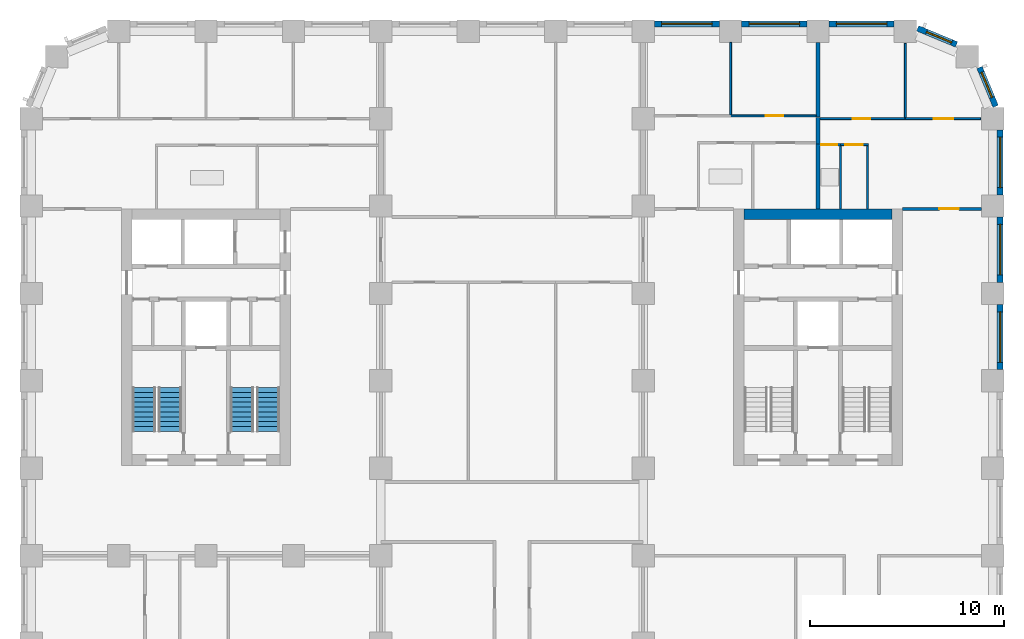
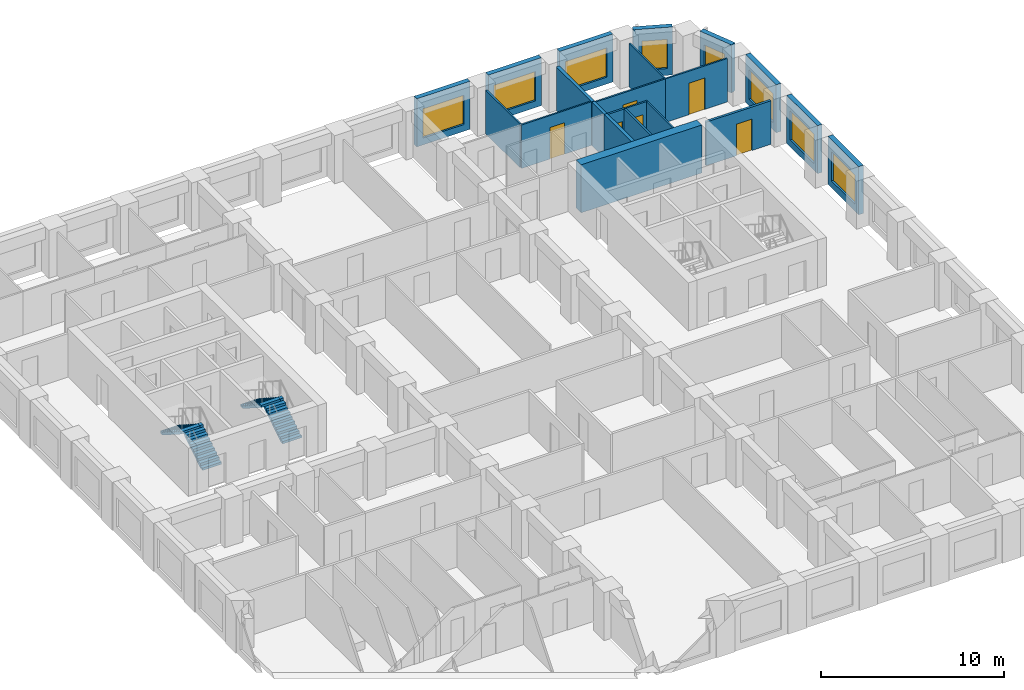
# One storey, part 9 of 13: 22 walls, 8 windows, 6 doors, 4 stair flights, 14 openings, 2 elements without a shape of their own.
"""IFC4 building model written with IfcOpenShell, lengths in metres."""

import ifcopenshell
import ifcopenshell.guid

model = None  # the IFC model being written
_history = None  # IfcOwnerHistory: only IFC2X3 demands one
_inside = {}  # id of a spatial element -> (the spatial element, [elements in it])
_under = {}  # id of a project, library or spatial element -> (it, [spatial elements below it])
_declared = {}  # id of a project -> (the project, [libraries it declares])
_typed = {}  # id of a type object -> (the type object, [elements of that type])
_made_of = {}  # id of a material, layer set ... -> (it, [elements and type objects made of it])


def new_model(schema):
    """Start an empty IFC model of exactly this schema.

    Asked for "IFC4X3", IfcOpenShell would pick the latest addendum, in which some entities
    have other attributes; the version numbers below select the first issue.
    IFC2X3 requires an IfcOwnerHistory on every rooted entity: one is made here for all.
    """
    global model, _history
    if schema == "IFC4X3":
        model = ifcopenshell.file(schema_version=(4, 3, 0, 0))
    else:
        model = ifcopenshell.file(schema=schema)
    _inside.clear()
    _under.clear()
    _declared.clear()
    _typed.clear()
    _made_of.clear()
    _history = None
    if model.schema == "IFC2X3":
        org = make("IfcOrganization", Name="unknown")
        user = make(
            "IfcPersonAndOrganization",
            ThePerson=make("IfcPerson", FamilyName="unknown"),
            TheOrganization=org,
        )
        app = make(
            "IfcApplication",
            ApplicationDeveloper=org,
            Version="unknown",
            ApplicationFullName="unknown",
            ApplicationIdentifier="unknown",
        )
        _history = make(
            "IfcOwnerHistory",
            OwningUser=user,
            OwningApplication=app,
            ChangeAction="ADDED",
            CreationDate=0,
        )
    return model


def make(cls, **values):
    """One entity of the class cls with the attributes given. An attribute that is None is left unset."""
    return model.create_entity(
        cls, **{name: value for name, value in values.items() if value is not None}
    )


def rooted(cls, **values):
    """An entity with a GlobalId (a new one), such as an element, a storey or a relation."""
    return make(cls, GlobalId=ifcopenshell.guid.new(), OwnerHistory=_history, **values)


def si_unit(unit_type, name, prefix=None):
    """IfcSIUnit, for example si_unit("LENGTHUNIT", "METRE", prefix="MILLI")."""
    return make("IfcSIUnit", UnitType=unit_type, Prefix=prefix, Name=name)


def assignment(units):
    """IfcUnitAssignment: the units of a project."""
    return None if units is None else make("IfcUnitAssignment", Units=units)


def point(xyz):
    """IfcCartesianPoint."""
    return None if xyz is None else make("IfcCartesianPoint", Coordinates=xyz)


def direction(xyz):
    """IfcDirection."""
    return None if xyz is None else make("IfcDirection", DirectionRatios=xyz)


def frame(location, z_axis=None, x_axis=None):
    """IfcAxis2Placement3D, a coordinate frame: its origin and axes. An axis left out is left unset."""
    return make(
        "IfcAxis2Placement3D",
        Location=point(location),
        Axis=direction(z_axis),
        RefDirection=direction(x_axis),
    )


def frame_2d(location, x_axis=None):
    """IfcAxis2Placement2D, a coordinate frame in the plane: its origin and x axis."""
    return make(
        "IfcAxis2Placement2D", Location=point(location), RefDirection=direction(x_axis)
    )


def origin():
    """The frame at (0, 0, 0) with its axes left unset."""
    return frame((0.0, 0.0, 0.0))


def place(relative_to, where):
    """IfcLocalPlacement: puts the frame where relative to a parent placement (None: the world)."""
    return make(
        "IfcLocalPlacement", PlacementRelTo=relative_to, RelativePlacement=where
    )


def context(
    kind, dimensions, precision=None, world=None, true_north=None, identifier=None
):
    """IfcGeometricRepresentationContext, for example the 3D "Model" context."""
    return make(
        "IfcGeometricRepresentationContext",
        ContextIdentifier=identifier,
        ContextType=kind,
        CoordinateSpaceDimension=dimensions,
        Precision=precision,
        WorldCoordinateSystem=world,
        TrueNorth=true_north,
    )


def subcontext(parent, identifier, kind, view, scale=None):
    """IfcGeometricRepresentationSubContext, for example "Body" below "Model"."""
    return make(
        "IfcGeometricRepresentationSubContext",
        ContextIdentifier=identifier,
        ContextType=kind,
        ParentContext=parent,
        TargetScale=scale,
        TargetView=view,
    )


def project(units=None, contexts=None):
    """IfcProject with its units and contexts."""
    return rooted(
        "IfcProject",
        Name="project",
        RepresentationContexts=contexts,
        UnitsInContext=assignment(units),
    )


def spatial(cls, under=None, at=None, **own):
    """A site, building, storey or space (cls), placed at a placement, below another one or the project."""
    s = rooted(cls, ObjectPlacement=at, **own)
    if under is not None:
        _under.setdefault(under.id(), (under, []))[1].append(s)
    return s


def polyline(points):
    """IfcPolyline through the points."""
    return make("IfcPolyline", Points=[point(p) for p in points])


def profile(cls, at=None, kind="AREA", **sizes):
    """A parametric profile (cls). Its sizes go by their IFC names, for example OverallWidth=200.0."""
    return make(cls, ProfileType=kind, Position=at, **sizes)


def rectangle(**sizes):
    """IfcRectangleProfileDef."""
    return profile("IfcRectangleProfileDef", **sizes)


def outline(outer, holes=None, kind="AREA"):
    """IfcArbitraryClosedProfileDef: a profile drawn as a closed curve; with holes, ...WithVoids."""
    if holes is None:
        return make("IfcArbitraryClosedProfileDef", ProfileType=kind, OuterCurve=outer)
    return make(
        "IfcArbitraryProfileDefWithVoids",
        ProfileType=kind,
        OuterCurve=outer,
        InnerCurves=holes,
    )


def extrude(swept, where, along, depth):
    """IfcExtrudedAreaSolid: the profile swept, set in the frame where, extruded along a direction by depth."""
    return make(
        "IfcExtrudedAreaSolid",
        SweptArea=swept,
        Position=where,
        ExtrudedDirection=direction(along),
        Depth=depth,
    )


def shape(context_of_items, identifier, shape_type, items):
    """IfcShapeRepresentation: the items that make up one representation, for example the "Body"."""
    return make(
        "IfcShapeRepresentation",
        ContextOfItems=context_of_items,
        RepresentationIdentifier=identifier,
        RepresentationType=shape_type,
        Items=items,
    )


def material(Name=None, Category=None):
    """IfcMaterial."""
    return make("IfcMaterial", Name=Name, Category=Category)


def layer(
    of_material, thickness, ventilated=None, Name=None, Category=None, Priority=None
):
    """IfcMaterialLayer: one layer of a wall or slab, of a material (None: an air gap)."""
    return make(
        "IfcMaterialLayer",
        Material=of_material,
        LayerThickness=thickness,
        IsVentilated=ventilated,
        Name=Name,
        Category=Category,
        Priority=Priority,
    )


def layer_set(layers, Name=None):
    """IfcMaterialLayerSet."""
    return make("IfcMaterialLayerSet", MaterialLayers=layers, LayerSetName=Name)


def made_of(thing, what):
    """Note that an element or type object is made of a material, layer set ...; save() writes the relation."""
    if what is not None:
        _made_of.setdefault(what.id(), (what, []))[1].append(thing)
    return thing


def type_object(cls, material=None, **own):
    """A type object (cls), such as IfcWallType, which elements share."""
    return made_of(rooted(cls, **own), material)


def element(
    cls,
    number,
    at=None,
    inside=None,
    cuts=None,
    type_object=None,
    material=None,
    context=None,
    identifier="Body",
    shape_type=None,
    held_by="IfcProductDefinitionShape",
    body=None,
    shapes=None,
    **own,
):
    """One element of the class cls, such as IfcWall. Its Tag is "e" and its number.

    at: its placement. inside: the storey or other place that contains it. cuts: it is an
    opening in that element (IfcRelVoidsElement). A single representation is given by context,
    identifier, shape_type and body (its items); several are given by shapes. held_by: the class
    of the entity that holds the representations. save() writes the other relations.
    """
    e = rooted(cls, Tag="e%d" % number, ObjectPlacement=at, **own)
    if body is not None:
        shapes = [shape(context, identifier, shape_type, body)]
    if shapes is not None:
        e.Representation = make(held_by, Representations=shapes)
    if inside is not None:
        _inside.setdefault(inside.id(), (inside, []))[1].append(e)
    if cuts is not None:
        rooted(
            "IfcRelVoidsElement", RelatingBuildingElement=cuts, RelatedOpeningElement=e
        )
    if type_object is not None:
        _typed.setdefault(type_object.id(), (type_object, []))[1].append(e)
    return made_of(e, material)


def fill(opening, filler):
    """IfcRelFillsElement: the door or window that sits in an opening."""
    return rooted(
        "IfcRelFillsElement",
        RelatingOpeningElement=opening,
        RelatedBuildingElement=filler,
    )


def aggregate(whole, parts):
    """IfcRelAggregates: a whole, such as a stair, and the parts it consists of."""
    return rooted("IfcRelAggregates", RelatingObject=whole, RelatedObjects=parts)


def save(model, path):
    """Write the relations noted so far, then the file.

    IfcRelAggregates (storeys below a building ...), IfcRelContainedInSpatialStructure (elements
    in a storey), IfcRelDefinesByType, IfcRelAssociatesMaterial and IfcRelDeclares: one each for
    every whole, place, type object, material and project.
    """
    for whole, parts in _under.values():
        aggregate(whole, parts)
    for where, things in _inside.values():
        rooted(
            "IfcRelContainedInSpatialStructure",
            RelatedElements=things,
            RelatingStructure=where,
        )
    for kind, things in _typed.values():
        rooted("IfcRelDefinesByType", RelatedObjects=things, RelatingType=kind)
    for what, things in _made_of.values():
        rooted("IfcRelAssociatesMaterial", RelatedObjects=things, RelatingMaterial=what)
    for by, libraries in _declared.values():
        rooted("IfcRelDeclares", RelatingContext=by, RelatedDefinitions=libraries)
    model.write(path)


model = new_model("IFC4")

# Units and contexts
model_context = context("Model", 3, precision=1e-05, world=origin(), true_north=direction((0.0, 1.0)))
body_context = subcontext(model_context, "Body", "Model", "MODEL_VIEW")
ifc_project = project(units=[si_unit("LENGTHUNIT", "METRE"), si_unit("AREAUNIT", "SQUARE_METRE"), si_unit("VOLUMEUNIT", "CUBIC_METRE"), si_unit("PLANEANGLEUNIT", "RADIAN"), si_unit("MASSUNIT", "GRAM", prefix="KILO")], contexts=[model_context])

# Site, building, storey
site_placement = place(None, origin())
site = spatial("IfcSite", under=ifc_project, at=site_placement, CompositionType="ELEMENT")
building_placement = place(site_placement, origin())
building = spatial("IfcBuilding", under=site, at=building_placement, Name="Girih Gate Residences", CompositionType="ELEMENT")
storey_placement = place(building_placement, frame((0.0, 0.0, 99.199951171875)))
storey = spatial("IfcBuildingStorey", under=building, at=storey_placement, Name="L27", CompositionType="ELEMENT", Elevation=99.199951171875)

# Wall, opening, door
ifc_material_1 = material(Name="Gypsum board on steel studs", Category="steel")
ifc_layer_1 = layer(ifc_material_1, 0.14990234375)
ifc_layer_set_1 = layer_set([ifc_layer_1], Name="Compartment wall 150 mm")
wall_type_1 = type_object("IfcWallType", Name="Compartment wall 150 mm", PredefinedType="PARTITIONING", material=ifc_layer_set_1)
wall_1_placement = place(storey_placement, frame((44.85009765625, 40.35009765625, 0.0), z_axis=(0.0, 0.0, 1.0), x_axis=(1.0, 0.0, 0.0)))
wall_1 = element("IfcWall", 1, at=wall_1_placement, inside=storey, type_object=wall_type_1, Name="L27 partition", PredefinedType="PARTITIONING", context=body_context, shape_type="SweptSolid", body=[
    extrude(rectangle(XDim=4.074951171875, YDim=0.14990234375, at=frame_2d((2.03759765625, 0.0))), origin(), (0.0, 0.0, 1.0), 2.900146484375),
])
opening_1_placement = place(wall_1_placement, frame((1.89990234375, 0.0, 0.0)))
opening_1 = element("IfcOpeningElement", 2, at=opening_1_placement, cuts=wall_1, Name="Opening A27-033", PredefinedType="OPENING", context=body_context, shape_type="SweptSolid", body=[
    extrude(rectangle(XDim=1.0, YDim=2.10009765625, at=frame_2d((0.5, 1.050048828125))), frame((0.0, 0.0849609375, 0.0), z_axis=(0.0, -1.0, 0.0), x_axis=(1.0, 0.0, 0.0)), (0.0, 0.0, 1.0), 0.169921875),
])
ifc_material_2 = material(Name="Timber, fire-rated core", Category="wood")
door_type_1 = type_object("IfcDoorType", Name="Flat entrance door 1000x2100 FD30S", OperationType="NOTDEFINED", PredefinedType="DOOR", material=ifc_material_2)
door_1_placement = place(opening_1_placement, origin())
door_1 = element("IfcDoor", 3, at=door_1_placement, inside=storey, type_object=door_type_1, Name="Door A27-033", OperationType="SINGLE_SWING_RIGHT", OverallHeight=2.10009765625, OverallWidth=1.0, PredefinedType="DOOR", context=body_context, shape_type="SweptSolid", body=[
    extrude(rectangle(XDim=1.0, YDim=2.10009765625, at=frame_2d((0.5, 1.050048828125))), frame((0.0, 0.02490234375, 0.0), z_axis=(0.0, -1.0, 0.0), x_axis=(1.0, 0.0, 0.0)), (0.0, 0.0, 1.0), 0.050048828125),
])
fill(opening_1, door_1)

# Wall
ifc_material_3 = material(Name="Concrete C60/75", Category="concrete")
ifc_layer_2 = layer(ifc_material_3, 0.550048828125)
ifc_layer_set_2 = layer_set([ifc_layer_2], Name="Core wall RC 550 Concrete C60/75")
wall_type_2 = type_object("IfcWallType", Name="Core wall RC 550 Concrete C60/75", PredefinedType="SOLIDWALL", material=ifc_layer_set_2)
wall_2_placement = place(storey_placement, frame((36.699951171875, 40.074951171875, 0.0), z_axis=(0.0, 0.0, 1.0), x_axis=(1.0, 0.0, 0.0)))
element("IfcWall", 4, at=wall_2_placement, inside=storey, type_object=wall_type_2, Name="Core wall E-N L27", PredefinedType="SOLIDWALL", context=body_context, shape_type="SweptSolid", body=[
    extrude(rectangle(XDim=7.60009765625, YDim=0.550048828125, at=frame_2d((3.800048828125, 0.0))), origin(), (0.0, 0.0, 1.0), 3.199951171875),
])

# Wall, opening, door
ifc_layer_3 = layer(ifc_material_1, 0.10009765625)
ifc_layer_set_3 = layer_set([ifc_layer_3], Name="Partition 100 mm")
wall_type_3 = type_object("IfcWallType", Name="Partition 100 mm", PredefinedType="PARTITIONING", material=ifc_layer_set_3)
wall_3_placement = place(storey_placement, frame((40.60009765625, 45.0, 0.0), z_axis=(0.0, 0.0, 1.0), x_axis=(1.0, 0.0, 0.0)))
wall_3 = element("IfcWall", 5, at=wall_3_placement, inside=storey, type_object=wall_type_3, Name="L27 partition", PredefinedType="PARTITIONING", context=body_context, shape_type="SweptSolid", body=[
    extrude(rectangle(XDim=4.39990234375, YDim=0.10009765625, at=frame_2d((2.199951171875, 0.0))), origin(), (0.0, 0.0, 1.0), 2.900146484375),
])
opening_2_placement = place(wall_3_placement, frame((1.699951171875, 0.0, 0.0)))
opening_2 = element("IfcOpeningElement", 6, at=opening_2_placement, cuts=wall_3, Name="Opening A27-030", PredefinedType="OPENING", context=body_context, shape_type="SweptSolid", body=[
    extrude(rectangle(XDim=0.89990234375, YDim=2.10009765625, at=frame_2d((0.449951171875, 1.050048828125))), frame((0.0, 0.06005859375, 0.0), z_axis=(0.0, -1.0, 0.0), x_axis=(1.0, 0.0, 0.0)), (0.0, 0.0, 1.0), 0.1201171875),
])
ifc_material_4 = material(Name="Timber", Category="wood")
door_type_2 = type_object("IfcDoorType", Name="Bedroom door 900x2100", OperationType="NOTDEFINED", PredefinedType="DOOR", material=ifc_material_4)
door_2_placement = place(opening_2_placement, origin())
door_2 = element("IfcDoor", 7, at=door_2_placement, inside=storey, type_object=door_type_2, Name="Door A27-030", OperationType="SINGLE_SWING_LEFT", OverallHeight=2.10009765625, OverallWidth=0.89990234375, PredefinedType="DOOR", context=body_context, shape_type="SweptSolid", body=[
    extrude(rectangle(XDim=0.89990234375, YDim=2.10009765625, at=frame_2d((0.449951171875, 1.050048828125))), frame((0.0, 0.02490234375, 0.0), z_axis=(0.0, -1.0, 0.0), x_axis=(1.0, 0.0, 0.0)), (0.0, 0.0, 1.0), 0.050048828125),
])
fill(opening_2, door_2)

# Walls
wall_4_placement = place(storey_placement, frame((45.0, 45.050048828125, 0.0), z_axis=(0.0, 0.0, 1.0), x_axis=(0.0, 1.0, 0.0)))
element("IfcWall", 8, at=wall_4_placement, inside=storey, type_object=wall_type_3, Name="L27 partition", PredefinedType="PARTITIONING", context=body_context, shape_type="SweptSolid", body=[
    extrude(rectangle(XDim=3.82763671875, YDim=0.10009765625, at=frame_2d((1.913818359375, 0.0))), origin(), (0.0, 0.0, 1.0), 2.900146484375),
])
wall_5_placement = place(storey_placement, frame((43.050048828125, 40.35009765625, 0.0), z_axis=(0.0, 0.0, 1.0), x_axis=(0.0, 1.0, 0.0)))
element("IfcWall", 9, at=wall_5_placement, inside=storey, type_object=wall_type_3, Name="L27 partition", PredefinedType="PARTITIONING", context=body_context, shape_type="SweptSolid", body=[
    extrude(rectangle(XDim=3.260009765625, YDim=0.10009765625, at=frame_2d((1.6298828125, 0.0))), origin(), (0.0, 0.0, 1.0), 2.900146484375),
])

# Wall, opening, door
wall_6_placement = place(storey_placement, frame((43.10009765625, 43.659912109375, 0.0), z_axis=(0.0, 0.0, 1.0), x_axis=(-1.0, 0.0, 0.0)))
wall_6 = element("IfcWall", 10, at=wall_6_placement, inside=storey, type_object=wall_type_3, Name="L27 partition", PredefinedType="PARTITIONING", context=body_context, shape_type="SweptSolid", body=[
    extrude(rectangle(XDim=1.44091796875, YDim=0.10009765625, at=frame_2d((0.720458984375, 0.0))), origin(), (0.0, 0.0, 1.0), 2.900146484375),
])
opening_3_placement = place(wall_6_placement, frame((0.29541015625, 0.0, 0.0)))
opening_3 = element("IfcOpeningElement", 11, at=opening_3_placement, cuts=wall_6, Name="Opening A27-031", PredefinedType="OPENING", context=body_context, shape_type="SweptSolid", body=[
    extrude(rectangle(XDim=0.89990234375, YDim=2.10009765625, at=frame_2d((0.449951171875, 1.050048828125))), frame((0.0, 0.06005859375, 0.0), z_axis=(0.0, -1.0, 0.0), x_axis=(1.0, 0.0, 0.0)), (0.0, 0.0, 1.0), 0.1201171875),
])
door_type_3 = type_object("IfcDoorType", Name="Kitchen door 900x2100", OperationType="NOTDEFINED", PredefinedType="DOOR", material=ifc_material_4)
door_3_placement = place(opening_3_placement, origin())
door_3 = element("IfcDoor", 12, at=door_3_placement, inside=storey, type_object=door_type_3, Name="Door A27-031", OperationType="SINGLE_SWING_RIGHT", OverallHeight=2.10009765625, OverallWidth=0.89990234375, PredefinedType="DOOR", context=body_context, shape_type="SweptSolid", body=[
    extrude(rectangle(XDim=0.89990234375, YDim=2.10009765625, at=frame_2d((0.449951171875, 1.050048828125))), frame((0.0, 0.02490234375, 0.0), z_axis=(0.0, -1.0, 0.0), x_axis=(1.0, 0.0, 0.0)), (0.0, 0.0, 1.0), 0.050048828125),
])
fill(opening_3, door_3)

wall_7_placement = place(storey_placement, frame((45.0, 45.0, 0.0), z_axis=(0.0, 0.0, 1.0), x_axis=(1.0, 0.0, 0.0)))
wall_7 = element("IfcWall", 13, at=wall_7_placement, inside=storey, type_object=wall_type_3, Name="L27 partition", PredefinedType="PARTITIONING", context=body_context, shape_type="SweptSolid", body=[
    extrude(rectangle(XDim=3.877685546875, YDim=0.10009765625, at=frame_2d((1.93896484375, 0.0))), origin(), (0.0, 0.0, 1.0), 2.900146484375),
])
opening_4_placement = place(wall_7_placement, frame((1.46240234375, 0.0, 0.0)))
opening_4 = element("IfcOpeningElement", 14, at=opening_4_placement, cuts=wall_7, Name="Opening A27-032", PredefinedType="OPENING", context=body_context, shape_type="SweptSolid", body=[
    extrude(rectangle(XDim=1.0, YDim=2.10009765625, at=frame_2d((0.5, 1.050048828125))), frame((0.0, 0.06005859375, 0.0), z_axis=(0.0, -1.0, 0.0), x_axis=(1.0, 0.0, 0.0)), (0.0, 0.0, 1.0), 0.1201171875),
])
door_type_4 = type_object("IfcDoorType", Name="Living room door 1000x2100", OperationType="NOTDEFINED", PredefinedType="DOOR", material=ifc_material_4)
door_4_placement = place(opening_4_placement, origin())
door_4 = element("IfcDoor", 15, at=door_4_placement, inside=storey, type_object=door_type_4, Name="Door A27-032", OperationType="SINGLE_SWING_RIGHT", OverallHeight=2.10009765625, OverallWidth=1.0, PredefinedType="DOOR", context=body_context, shape_type="SweptSolid", body=[
    extrude(rectangle(XDim=1.0, YDim=2.10009765625, at=frame_2d((0.5, 1.050048828125))), frame((0.0, 0.02490234375, 0.0), z_axis=(0.0, -1.0, 0.0), x_axis=(1.0, 0.0, 0.0)), (0.0, 0.0, 1.0), 0.050048828125),
])
fill(opening_4, door_4)

wall_8_placement = place(storey_placement, frame((36.0, 45.135009765625, 0.0), z_axis=(0.0, 0.0, 1.0), x_axis=(1.0, 0.0, 0.0)))
wall_8 = element("IfcWall", 16, at=wall_8_placement, inside=storey, type_object=wall_type_3, Name="L27 partition", PredefinedType="PARTITIONING", context=body_context, shape_type="SweptSolid", body=[
    extrude(rectangle(XDim=4.39990234375, YDim=0.10009765625, at=frame_2d((2.199951171875, 0.0))), origin(), (0.0, 0.0, 1.0), 2.900146484375),
])
opening_5_placement = place(wall_8_placement, frame((1.800048828125, 0.0, 0.0)))
opening_5 = element("IfcOpeningElement", 17, at=opening_5_placement, cuts=wall_8, Name="Opening A27-035", PredefinedType="OPENING", context=body_context, shape_type="SweptSolid", body=[
    extrude(rectangle(XDim=0.89990234375, YDim=2.10009765625, at=frame_2d((0.449951171875, 1.050048828125))), frame((0.0, 0.06005859375, 0.0), z_axis=(0.0, -1.0, 0.0), x_axis=(1.0, 0.0, 0.0)), (0.0, 0.0, 1.0), 0.1201171875),
])
door_5_placement = place(opening_5_placement, origin())
door_5 = element("IfcDoor", 18, at=door_5_placement, inside=storey, type_object=door_type_2, Name="Door A27-035", OperationType="SINGLE_SWING_RIGHT", OverallHeight=2.10009765625, OverallWidth=0.89990234375, PredefinedType="DOOR", context=body_context, shape_type="SweptSolid", body=[
    extrude(rectangle(XDim=0.89990234375, YDim=2.10009765625, at=frame_2d((0.449951171875, 1.050048828125))), frame((0.0, 0.02490234375, 0.0), z_axis=(0.0, -1.0, 0.0), x_axis=(1.0, 0.0, 0.0)), (0.0, 0.0, 1.0), 0.050048828125),
])
fill(opening_5, door_5)

# Walls
wall_9_placement = place(storey_placement, frame((36.0, 45.18505859375, 0.0), z_axis=(0.0, 0.0, 1.0), x_axis=(0.0, 1.0, 0.0)))
element("IfcWall", 19, at=wall_9_placement, inside=storey, type_object=wall_type_3, Name="L27 partition", PredefinedType="PARTITIONING", context=body_context, shape_type="SweptSolid", body=[
    extrude(rectangle(XDim=3.739990234375, YDim=0.10009765625, at=frame_2d((1.8701171875, 0.0))), origin(), (0.0, 0.0, 1.0), 2.900146484375),
])
ifc_layer_4 = layer(ifc_material_1, 0.199951171875)
ifc_layer_set_4 = layer_set([ifc_layer_4], Name="Party wall 200 mm")
wall_type_4 = type_object("IfcWallType", Name="Party wall 200 mm", PredefinedType="PARTITIONING", material=ifc_layer_set_4)
wall_10_placement = place(storey_placement, frame((40.5, 40.35009765625, 0.0), z_axis=(0.0, 0.0, 1.0), x_axis=(0.0, 1.0, 0.0)))
element("IfcWall", 20, at=wall_10_placement, inside=storey, type_object=wall_type_4, Name="L27 partition", PredefinedType="PARTITIONING", context=body_context, shape_type="SweptSolid", body=[
    extrude(rectangle(XDim=3.372314453125, YDim=0.199951171875, at=frame_2d((1.68603515625, 0.0))), origin(), (0.0, 0.0, 1.0), 2.900146484375),
])
wall_11_placement = place(storey_placement, frame((40.5, 45.0849609375, 0.0), z_axis=(0.0, 0.0, 1.0), x_axis=(0.0, 1.0, 0.0)))
element("IfcWall", 21, at=wall_11_placement, inside=storey, type_object=wall_type_4, Name="L27 partition", PredefinedType="PARTITIONING", context=body_context, shape_type="SweptSolid", body=[
    extrude(rectangle(XDim=3.840087890625, YDim=0.199951171875, at=frame_2d((1.919921875, 0.0))), origin(), (0.0, 0.0, 1.0), 2.900146484375),
])
wall_12_placement = place(storey_placement, frame((40.5, 43.705078125, 0.0), z_axis=(0.0, 0.0, 1.0), x_axis=(0.0, 1.0, 0.0)))
element("IfcWall", 22, at=wall_12_placement, inside=storey, type_object=wall_type_4, Name="L27 partition", PredefinedType="PARTITIONING", context=body_context, shape_type="SweptSolid", body=[
    extrude(rectangle(XDim=1.344970703125, YDim=0.199951171875, at=frame_2d((0.67236328125, 0.0))), origin(), (0.0, 0.0, 1.0), 2.900146484375),
])

# Wall, opening, window
ifc_material_5 = material(Name="Precast concrete C50/60", Category="concrete")
ifc_layer_5 = layer(ifc_material_5, 0.080078125, Name="Outer leaf")
ifc_material_6 = material(Name="Rigid PIR insulation")
ifc_layer_6 = layer(ifc_material_6, 0.14990234375, Name="Insulation")
ifc_material_7 = material(Name="Precast concrete C40/50", Category="concrete")
ifc_layer_7 = layer(ifc_material_7, 0.070068359375, Name="Inner leaf")
ifc_layer_set_5 = layer_set([ifc_layer_5, ifc_layer_6, ifc_layer_7], Name="Precast concrete C50/60 external wall 300")
wall_type_5 = type_object("IfcWallType", Name="Precast concrete C50/60 external wall 300", PredefinedType="SOLIDWALL", material=ifc_layer_set_5)
wall_13_placement = place(storey_placement, frame((49.875, 35.425048828125, 0.0), z_axis=(0.0, 0.0, 1.0), x_axis=(0.0, -1.0, 0.0)))
wall_13 = element("IfcWall", 23, at=wall_13_placement, inside=storey, type_object=wall_type_5, Name="External wall E0495_0045.6", PredefinedType="SOLIDWALL", context=body_context, shape_type="SweptSolid", body=[
    extrude(rectangle(XDim=3.35009765625, YDim=0.300048828125, at=frame_2d((1.675048828125, 0.0))), origin(), (0.0, 0.0, 1.0), 3.199951171875),
])
opening_6_placement = place(wall_13_placement, frame((0.375, 0.0, 0.449951171875)))
opening_6 = element("IfcOpeningElement", 24, at=opening_6_placement, cuts=wall_13, Name="Opening W-1A", PredefinedType="OPENING", context=body_context, shape_type="SweptSolid", body=[
    extrude(rectangle(XDim=2.60009765625, YDim=1.949951171875, at=frame_2d((1.300048828125, 0.97509765625))), frame((0.0, 0.159912109375, 0.0), z_axis=(0.0, -1.0, 0.0), x_axis=(1.0, 0.0, 0.0)), (0.0, 0.0, 1.0), 0.320068359375),
])
ifc_material_8 = material(Name="Double glazing in aluminium frame", Category="aluminium")
window_type_1 = type_object("IfcWindowType", Name="Window W-1A 2600x1950", PartitioningType="SINGLE_PANEL", PredefinedType="WINDOW", material=ifc_material_8)
window_1_placement = place(opening_6_placement, origin())
window_1 = element("IfcWindow", 25, at=window_1_placement, inside=storey, type_object=window_type_1, Name="Window W-1A E0495_0045.6", OverallHeight=1.949951171875, OverallWidth=2.60009765625, PartitioningType="SINGLE_PANEL", PredefinedType="WINDOW", context=body_context, shape_type="SweptSolid", body=[
    extrude(rectangle(XDim=2.60009765625, YDim=1.949951171875, at=frame_2d((1.300048828125, 0.97509765625))), frame((0.0, 0.030029296875, 0.0), z_axis=(0.0, -1.0, 0.0), x_axis=(1.0, 0.0, 0.0)), (0.0, 0.0, 1.0), 0.06005859375),
])
fill(opening_6, window_1)

wall_14_placement = place(storey_placement, frame((49.875, 39.925048828125, 0.0), z_axis=(0.0, 0.0, 1.0), x_axis=(0.0, -1.0, 0.0)))
wall_14 = element("IfcWall", 26, at=wall_14_placement, inside=storey, type_object=wall_type_5, Name="External wall E0495_0045.7", PredefinedType="SOLIDWALL", context=body_context, shape_type="SweptSolid", body=[
    extrude(rectangle(XDim=3.35009765625, YDim=0.300048828125, at=frame_2d((1.675048828125, 0.0))), origin(), (0.0, 0.0, 1.0), 3.199951171875),
])
opening_7_placement = place(wall_14_placement, frame((0.375, 0.0, 0.449951171875)))
opening_7 = element("IfcOpeningElement", 27, at=opening_7_placement, cuts=wall_14, Name="Opening W-1A", PredefinedType="OPENING", context=body_context, shape_type="SweptSolid", body=[
    extrude(rectangle(XDim=2.60009765625, YDim=1.949951171875, at=frame_2d((1.300048828125, 0.97509765625))), frame((0.0, 0.159912109375, 0.0), z_axis=(0.0, -1.0, 0.0), x_axis=(1.0, 0.0, 0.0)), (0.0, 0.0, 1.0), 0.320068359375),
])
window_2_placement = place(opening_7_placement, origin())
window_2 = element("IfcWindow", 28, at=window_2_placement, inside=storey, type_object=window_type_1, Name="Window W-1A E0495_0045.7", OverallHeight=1.949951171875, OverallWidth=2.60009765625, PartitioningType="SINGLE_PANEL", PredefinedType="WINDOW", context=body_context, shape_type="SweptSolid", body=[
    extrude(rectangle(XDim=2.60009765625, YDim=1.949951171875, at=frame_2d((1.300048828125, 0.97509765625))), frame((0.0, 0.030029296875, 0.0), z_axis=(0.0, -1.0, 0.0), x_axis=(1.0, 0.0, 0.0)), (0.0, 0.0, 1.0), 0.06005859375),
])
fill(opening_7, window_2)

wall_15_placement = place(storey_placement, frame((49.875, 44.425048828125, 0.0), z_axis=(0.0, 0.0, 1.0), x_axis=(0.0, -1.0, 0.0)))
wall_15 = element("IfcWall", 29, at=wall_15_placement, inside=storey, type_object=wall_type_5, Name="External wall E0495_0045.8", PredefinedType="SOLIDWALL", context=body_context, shape_type="SweptSolid", body=[
    extrude(rectangle(XDim=3.35009765625, YDim=0.300048828125, at=frame_2d((1.675048828125, 0.0))), origin(), (0.0, 0.0, 1.0), 3.199951171875),
])
opening_8_placement = place(wall_15_placement, frame((0.375, 0.0, 0.449951171875)))
opening_8 = element("IfcOpeningElement", 30, at=opening_8_placement, cuts=wall_15, Name="Opening W-1A", PredefinedType="OPENING", context=body_context, shape_type="SweptSolid", body=[
    extrude(rectangle(XDim=2.60009765625, YDim=1.949951171875, at=frame_2d((1.300048828125, 0.97509765625))), frame((0.0, 0.159912109375, 0.0), z_axis=(0.0, -1.0, 0.0), x_axis=(1.0, 0.0, 0.0)), (0.0, 0.0, 1.0), 0.320068359375),
])
window_3_placement = place(opening_8_placement, origin())
window_3 = element("IfcWindow", 31, at=window_3_placement, inside=storey, type_object=window_type_1, Name="Window W-1A E0495_0045.8", OverallHeight=1.949951171875, OverallWidth=2.60009765625, PartitioningType="SINGLE_PANEL", PredefinedType="WINDOW", context=body_context, shape_type="SweptSolid", body=[
    extrude(rectangle(XDim=2.60009765625, YDim=1.949951171875, at=frame_2d((1.300048828125, 0.97509765625))), frame((0.0, 0.030029296875, 0.0), z_axis=(0.0, -1.0, 0.0), x_axis=(1.0, 0.0, 0.0)), (0.0, 0.0, 1.0), 0.06005859375),
])
fill(opening_8, window_3)

wall_16_placement = place(storey_placement, frame((48.81591796875, 47.63134765625, 0.0), z_axis=(0.0, 0.0, 1.0), x_axis=(0.382723818695, -0.923862802911, 0.0)))
wall_16 = element("IfcWall", 32, at=wall_16_placement, inside=storey, type_object=wall_type_5, Name="External wall NE0495_0450.0", PredefinedType="SOLIDWALL", context=body_context, shape_type="SweptSolid", body=[
    extrude(rectangle(XDim=2.163818359375, YDim=0.300048828125, at=frame_2d((1.08203125, 0.0))), origin(), (0.0, 0.0, 1.0), 3.199951171875),
])
opening_9_placement = place(wall_16_placement, frame((0.270751953125, 0.0, 0.449951171875)))
opening_9 = element("IfcOpeningElement", 33, at=opening_9_placement, cuts=wall_16, Name="Opening W-2D", PredefinedType="OPENING", context=body_context, shape_type="SweptSolid", body=[
    extrude(rectangle(XDim=1.39990234375, YDim=1.949951171875, at=frame_2d((0.699951171875, 0.97509765625))), frame((0.0, 0.159912109375, 0.0), z_axis=(0.0, -1.0, 0.0), x_axis=(1.0, 0.0, 0.0)), (0.0, 0.0, 1.0), 0.320068359375),
])
window_type_2 = type_object("IfcWindowType", Name="Window W-2D 1400x1950", PartitioningType="SINGLE_PANEL", PredefinedType="WINDOW", material=ifc_material_8)
window_4_placement = place(opening_9_placement, origin())
window_4 = element("IfcWindow", 34, at=window_4_placement, inside=storey, type_object=window_type_2, Name="Window W-2D NE0495_0450.0", OverallHeight=1.949951171875, OverallWidth=1.39990234375, PartitioningType="SINGLE_PANEL", PredefinedType="WINDOW", context=body_context, shape_type="SweptSolid", body=[
    extrude(rectangle(XDim=1.39990234375, YDim=1.949951171875, at=frame_2d((0.699951171875, 0.97509765625))), frame((0.0, 0.030029296875, 0.0), z_axis=(0.0, -1.0, 0.0), x_axis=(1.0, 0.0, 0.0)), (0.0, 0.0, 1.0), 0.06005859375),
])
fill(opening_9, window_4)

wall_17_placement = place(storey_placement, frame((45.63232421875, 49.64404296875, 0.0), z_axis=(0.0, 0.0, 1.0), x_axis=(0.923862802911, -0.382723818695, 0.0)))
wall_17 = element("IfcWall", 35, at=wall_17_placement, inside=storey, type_object=wall_type_5, Name="External wall NE0482_0482.0", PredefinedType="SOLIDWALL", context=body_context, shape_type="SweptSolid", body=[
    extrude(rectangle(XDim=2.163818359375, YDim=0.300048828125, at=frame_2d((1.08203125, 0.0))), origin(), (0.0, 0.0, 1.0), 3.199951171875),
])
opening_10_placement = place(wall_17_placement, frame((0.492919921875, 0.0, 0.449951171875)))
opening_10 = element("IfcOpeningElement", 36, at=opening_10_placement, cuts=wall_17, Name="Opening W-2D", PredefinedType="OPENING", context=body_context, shape_type="SweptSolid", body=[
    extrude(rectangle(XDim=1.39990234375, YDim=1.949951171875, at=frame_2d((0.699951171875, 0.97509765625))), frame((0.0, 0.159912109375, 0.0), z_axis=(0.0, -1.0, 0.0), x_axis=(1.0, 0.0, 0.0)), (0.0, 0.0, 1.0), 0.320068359375),
])
window_5_placement = place(opening_10_placement, origin())
window_5 = element("IfcWindow", 37, at=window_5_placement, inside=storey, type_object=window_type_2, Name="Window W-2D NE0482_0482.0", OverallHeight=1.949951171875, OverallWidth=1.39990234375, PartitioningType="SINGLE_PANEL", PredefinedType="WINDOW", context=body_context, shape_type="SweptSolid", body=[
    extrude(rectangle(XDim=1.39990234375, YDim=1.949951171875, at=frame_2d((0.699951171875, 0.97509765625))), frame((0.0, 0.030029296875, 0.0), z_axis=(0.0, -1.0, 0.0), x_axis=(1.0, 0.0, 0.0)), (0.0, 0.0, 1.0), 0.06005859375),
])
fill(opening_10, window_5)

wall_18_placement = place(storey_placement, frame((41.074951171875, 49.875, 0.0), z_axis=(0.0, 0.0, 1.0), x_axis=(1.0, 0.0, 0.0)))
wall_18 = element("IfcWall", 38, at=wall_18_placement, inside=storey, type_object=wall_type_5, Name="External wall N0450_0495.0", PredefinedType="SOLIDWALL", context=body_context, shape_type="SweptSolid", body=[
    extrude(rectangle(XDim=3.35009765625, YDim=0.300048828125, at=frame_2d((1.675048828125, 0.0))), origin(), (0.0, 0.0, 1.0), 3.199951171875),
])
opening_11_placement = place(wall_18_placement, frame((0.375, 0.0, 0.449951171875)))
opening_11 = element("IfcOpeningElement", 39, at=opening_11_placement, cuts=wall_18, Name="Opening W-1A", PredefinedType="OPENING", context=body_context, shape_type="SweptSolid", body=[
    extrude(rectangle(XDim=2.60009765625, YDim=1.949951171875, at=frame_2d((1.300048828125, 0.97509765625))), frame((0.0, 0.159912109375, 0.0), z_axis=(0.0, -1.0, 0.0), x_axis=(1.0, 0.0, 0.0)), (0.0, 0.0, 1.0), 0.320068359375),
])
window_6_placement = place(opening_11_placement, origin())
window_6 = element("IfcWindow", 40, at=window_6_placement, inside=storey, type_object=window_type_1, Name="Window W-1A N0450_0495.0", OverallHeight=1.949951171875, OverallWidth=2.60009765625, PartitioningType="SINGLE_PANEL", PredefinedType="WINDOW", context=body_context, shape_type="SweptSolid", body=[
    extrude(rectangle(XDim=2.60009765625, YDim=1.949951171875, at=frame_2d((1.300048828125, 0.97509765625))), frame((0.0, 0.030029296875, 0.0), z_axis=(0.0, -1.0, 0.0), x_axis=(1.0, 0.0, 0.0)), (0.0, 0.0, 1.0), 0.06005859375),
])
fill(opening_11, window_6)

wall_19_placement = place(storey_placement, frame((36.574951171875, 49.875, 0.0), z_axis=(0.0, 0.0, 1.0), x_axis=(1.0, 0.0, 0.0)))
wall_19 = element("IfcWall", 41, at=wall_19_placement, inside=storey, type_object=wall_type_5, Name="External wall N0450_0495.1", PredefinedType="SOLIDWALL", context=body_context, shape_type="SweptSolid", body=[
    extrude(rectangle(XDim=3.35009765625, YDim=0.300048828125, at=frame_2d((1.675048828125, 0.0))), origin(), (0.0, 0.0, 1.0), 3.199951171875),
])
opening_12_placement = place(wall_19_placement, frame((0.375, 0.0, 0.449951171875)))
opening_12 = element("IfcOpeningElement", 42, at=opening_12_placement, cuts=wall_19, Name="Opening W-1A", PredefinedType="OPENING", context=body_context, shape_type="SweptSolid", body=[
    extrude(rectangle(XDim=2.60009765625, YDim=1.949951171875, at=frame_2d((1.300048828125, 0.97509765625))), frame((0.0, 0.159912109375, 0.0), z_axis=(0.0, -1.0, 0.0), x_axis=(1.0, 0.0, 0.0)), (0.0, 0.0, 1.0), 0.320068359375),
])
window_7_placement = place(opening_12_placement, origin())
window_7 = element("IfcWindow", 43, at=window_7_placement, inside=storey, type_object=window_type_1, Name="Window W-1A N0450_0495.1", OverallHeight=1.949951171875, OverallWidth=2.60009765625, PartitioningType="SINGLE_PANEL", PredefinedType="WINDOW", context=body_context, shape_type="SweptSolid", body=[
    extrude(rectangle(XDim=2.60009765625, YDim=1.949951171875, at=frame_2d((1.300048828125, 0.97509765625))), frame((0.0, 0.030029296875, 0.0), z_axis=(0.0, -1.0, 0.0), x_axis=(1.0, 0.0, 0.0)), (0.0, 0.0, 1.0), 0.06005859375),
])
fill(opening_12, window_7)

wall_20_placement = place(storey_placement, frame((32.074951171875, 49.875, 0.0), z_axis=(0.0, 0.0, 1.0), x_axis=(1.0, 0.0, 0.0)))
wall_20 = element("IfcWall", 44, at=wall_20_placement, inside=storey, type_object=wall_type_5, Name="External wall N0450_0495.2", PredefinedType="SOLIDWALL", context=body_context, shape_type="SweptSolid", body=[
    extrude(rectangle(XDim=3.35009765625, YDim=0.300048828125, at=frame_2d((1.675048828125, 0.0))), origin(), (0.0, 0.0, 1.0), 3.199951171875),
])
opening_13_placement = place(wall_20_placement, frame((0.375, 0.0, 0.449951171875)))
opening_13 = element("IfcOpeningElement", 45, at=opening_13_placement, cuts=wall_20, Name="Opening W-1A", PredefinedType="OPENING", context=body_context, shape_type="SweptSolid", body=[
    extrude(rectangle(XDim=2.60009765625, YDim=1.949951171875, at=frame_2d((1.300048828125, 0.97509765625))), frame((0.0, 0.159912109375, 0.0), z_axis=(0.0, -1.0, 0.0), x_axis=(1.0, 0.0, 0.0)), (0.0, 0.0, 1.0), 0.320068359375),
])
window_8_placement = place(opening_13_placement, origin())
window_8 = element("IfcWindow", 46, at=window_8_placement, inside=storey, type_object=window_type_1, Name="Window W-1A N0450_0495.2", OverallHeight=1.949951171875, OverallWidth=2.60009765625, PartitioningType="SINGLE_PANEL", PredefinedType="WINDOW", context=body_context, shape_type="SweptSolid", body=[
    extrude(rectangle(XDim=2.60009765625, YDim=1.949951171875, at=frame_2d((1.300048828125, 0.97509765625))), frame((0.0, 0.030029296875, 0.0), z_axis=(0.0, -1.0, 0.0), x_axis=(1.0, 0.0, 0.0)), (0.0, 0.0, 1.0), 0.06005859375),
])
fill(opening_13, window_8)

# Wall, opening, door
ifc_layer_8 = layer(ifc_material_1, 0.125)
ifc_layer_set_6 = layer_set([ifc_layer_8], Name="Wet room wall 125 mm")
wall_type_6 = type_object("IfcWallType", Name="Wet room wall 125 mm", PredefinedType="PARTITIONING", material=ifc_layer_set_6)
wall_21_placement = place(storey_placement, frame((41.6591796875, 43.659912109375, 0.0), z_axis=(0.0, 0.0, 1.0), x_axis=(-1.0, 0.0, 0.0)))
wall_21 = element("IfcWall", 47, at=wall_21_placement, inside=storey, type_object=wall_type_6, Name="L27 partition", PredefinedType="PARTITIONING", context=body_context, shape_type="SweptSolid", body=[
    extrude(rectangle(XDim=1.05908203125, YDim=0.125, at=frame_2d((0.529541015625, 0.0))), origin(), (0.0, 0.0, 1.0), 2.900146484375),
])
opening_14_placement = place(wall_21_placement, frame((0.179443359375, 0.0, 0.0)))
opening_14 = element("IfcOpeningElement", 48, at=opening_14_placement, cuts=wall_21, Name="Opening A27-029", PredefinedType="OPENING", context=body_context, shape_type="SweptSolid", body=[
    extrude(rectangle(XDim=0.800048828125, YDim=2.10009765625, at=frame_2d((0.39990234375, 1.050048828125))), frame((0.0, 0.072509765625, 0.0), z_axis=(0.0, -1.0, 0.0), x_axis=(1.0, 0.0, 0.0)), (0.0, 0.0, 1.0), 0.14501953125),
])
door_type_5 = type_object("IfcDoorType", Name="Bathroom door 800x2100", OperationType="NOTDEFINED", PredefinedType="DOOR", material=ifc_material_4)
door_6_placement = place(opening_14_placement, origin())
door_6 = element("IfcDoor", 49, at=door_6_placement, inside=storey, type_object=door_type_5, Name="Door A27-029", OperationType="SINGLE_SWING_RIGHT", OverallHeight=2.10009765625, OverallWidth=0.800048828125, PredefinedType="DOOR", context=body_context, shape_type="SweptSolid", body=[
    extrude(rectangle(XDim=0.800048828125, YDim=2.10009765625, at=frame_2d((0.39990234375, 1.050048828125))), frame((0.0, 0.02490234375, 0.0), z_axis=(0.0, -1.0, 0.0), x_axis=(1.0, 0.0, 0.0)), (0.0, 0.0, 1.0), 0.050048828125),
])
fill(opening_14, door_6)

# Wall
wall_22_placement = place(storey_placement, frame((41.658935546875, 40.35009765625, 0.0), z_axis=(0.0, 0.0, 1.0), x_axis=(0.0, 1.0, 0.0)))
element("IfcWall", 50, at=wall_22_placement, inside=storey, type_object=wall_type_6, Name="L27 partition", PredefinedType="PARTITIONING", context=body_context, shape_type="SweptSolid", body=[
    extrude(rectangle(XDim=3.247314453125, YDim=0.125, at=frame_2d((1.62353515625, 0.0))), origin(), (0.0, 0.0, 1.0), 2.900146484375),
])

# Stair, stair flights
ifc_material_9 = material(Name="Concrete C40/50", Category="concrete")
stair_type = type_object("IfcStairType", Name="Exit stair", PredefinedType="HALF_TURN_STAIR", material=ifc_material_9)
stair_1_placement = place(storey_placement, origin())
stair_1 = element("IfcStair", 51, at=stair_1_placement, inside=storey, type_object=stair_type, Name="L27 Exit Stair ST-W1", PredefinedType="HALF_TURN_STAIR")
stair_flight_type = type_object("IfcStairFlightType", Name="Stair flight 1200", PredefinedType="STRAIGHT", material=ifc_material_9)
stair_flight_1_placement = place(storey_placement, frame((7.14990234375, 28.89990234375, 0.0), z_axis=(0.0, 0.0, 1.0), x_axis=(0.0, 1.0, 0.0)))
stair_flight_1 = element("IfcStairFlight", 52, at=stair_flight_1_placement, type_object=stair_flight_type, Name="ST-W1 flight 1", NumberOfRisers=10, NumberOfTreads=9, PredefinedType="STRAIGHT", RiserHeight=0.16, TreadLength=0.25, context=body_context, shape_type="SweptSolid", body=[
    extrude(outline(polyline([(0.0, 0.0), (0.0, 0.159912109375), (0.25, 0.159912109375), (0.25, 0.320068359375), (0.5, 0.320068359375), (0.5, 0.47998046875), (0.75, 0.47998046875), (0.75, 0.639892578125), (1.0, 0.639892578125), (1.0, 0.800048828125), (1.25, 0.800048828125), (1.25, 0.9599609375), (1.5, 0.9599609375), (1.5, 1.1201171875), (1.75, 1.1201171875), (1.75, 1.280029296875), (2.0, 1.280029296875), (2.0, 1.43994140625), (2.25, 1.43994140625), (2.25, 1.60009765625), (2.25, 1.29736328125), (0.222900390625, 0.0), (0.0, 0.0)])), frame((0.0, 0.60009765625, 0.0), z_axis=(0.0, -1.0, 0.0), x_axis=(1.0, 0.0, 0.0)), (0.0, 0.0, 1.0), 1.199951171875),
])
stair_flight_2_placement = place(storey_placement, frame((5.800048828125, 31.14990234375, 1.60009765625), z_axis=(0.0, 0.0, 1.0), x_axis=(0.0, -1.0, 0.0)))
stair_flight_2 = element("IfcStairFlight", 53, at=stair_flight_2_placement, type_object=stair_flight_type, Name="ST-W1 flight 2", NumberOfRisers=10, NumberOfTreads=9, PredefinedType="STRAIGHT", RiserHeight=0.16, TreadLength=0.25, context=body_context, shape_type="SweptSolid", body=[
    extrude(outline(polyline([(0.0, 0.0), (0.0, 0.159912109375), (0.25, 0.159912109375), (0.25, 0.320068359375), (0.5, 0.320068359375), (0.5, 0.47998046875), (0.75, 0.47998046875), (0.75, 0.639892578125), (1.0, 0.639892578125), (1.0, 0.800048828125), (1.25, 0.800048828125), (1.25, 0.9599609375), (1.5, 0.9599609375), (1.5, 1.1201171875), (1.75, 1.1201171875), (1.75, 1.280029296875), (2.0, 1.280029296875), (2.0, 1.43994140625), (2.25, 1.43994140625), (2.25, 1.60009765625), (2.25, 1.29736328125), (0.222900390625, 0.0), (0.0, 0.0)])), frame((0.0, 0.60009765625, 0.0), z_axis=(0.0, -1.0, 0.0), x_axis=(1.0, 0.0, 0.0)), (0.0, 0.0, 1.0), 1.199951171875),
])
aggregate(stair_1, [stair_flight_1, stair_flight_2])

stair_2_placement = place(storey_placement, origin())
stair_2 = element("IfcStair", 54, at=stair_2_placement, inside=storey, type_object=stair_type, Name="L27 Exit Stair ST-W2", PredefinedType="HALF_TURN_STAIR")
stair_flight_3_placement = place(storey_placement, frame((12.199951171875, 28.89990234375, 0.0), z_axis=(0.0, 0.0, 1.0), x_axis=(0.0, 1.0, 0.0)))
stair_flight_3 = element("IfcStairFlight", 55, at=stair_flight_3_placement, type_object=stair_flight_type, Name="ST-W2 flight 1", NumberOfRisers=10, NumberOfTreads=9, PredefinedType="STRAIGHT", RiserHeight=0.16, TreadLength=0.25, context=body_context, shape_type="SweptSolid", body=[
    extrude(outline(polyline([(0.0, 0.0), (0.0, 0.159912109375), (0.25, 0.159912109375), (0.25, 0.320068359375), (0.5, 0.320068359375), (0.5, 0.47998046875), (0.75, 0.47998046875), (0.75, 0.639892578125), (1.0, 0.639892578125), (1.0, 0.800048828125), (1.25, 0.800048828125), (1.25, 0.9599609375), (1.5, 0.9599609375), (1.5, 1.1201171875), (1.75, 1.1201171875), (1.75, 1.280029296875), (2.0, 1.280029296875), (2.0, 1.43994140625), (2.25, 1.43994140625), (2.25, 1.60009765625), (2.25, 1.29736328125), (0.222900390625, 0.0), (0.0, 0.0)])), frame((0.0, 0.60009765625, 0.0), z_axis=(0.0, -1.0, 0.0), x_axis=(1.0, 0.0, 0.0)), (0.0, 0.0, 1.0), 1.199951171875),
])
stair_flight_4_placement = place(storey_placement, frame((10.85009765625, 31.14990234375, 1.60009765625), z_axis=(0.0, 0.0, 1.0), x_axis=(0.0, -1.0, 0.0)))
stair_flight_4 = element("IfcStairFlight", 56, at=stair_flight_4_placement, type_object=stair_flight_type, Name="ST-W2 flight 2", NumberOfRisers=10, NumberOfTreads=9, PredefinedType="STRAIGHT", RiserHeight=0.16, TreadLength=0.25, context=body_context, shape_type="SweptSolid", body=[
    extrude(outline(polyline([(0.0, 0.0), (0.0, 0.159912109375), (0.25, 0.159912109375), (0.25, 0.320068359375), (0.5, 0.320068359375), (0.5, 0.47998046875), (0.75, 0.47998046875), (0.75, 0.639892578125), (1.0, 0.639892578125), (1.0, 0.800048828125), (1.25, 0.800048828125), (1.25, 0.9599609375), (1.5, 0.9599609375), (1.5, 1.1201171875), (1.75, 1.1201171875), (1.75, 1.280029296875), (2.0, 1.280029296875), (2.0, 1.43994140625), (2.25, 1.43994140625), (2.25, 1.60009765625), (2.25, 1.29736328125), (0.222900390625, 0.0), (0.0, 0.0)])), frame((0.0, 0.60009765625, 0.0), z_axis=(0.0, -1.0, 0.0), x_axis=(1.0, 0.0, 0.0)), (0.0, 0.0, 1.0), 1.199951171875),
])
aggregate(stair_2, [stair_flight_3, stair_flight_4])

save(model, "model.ifc")
